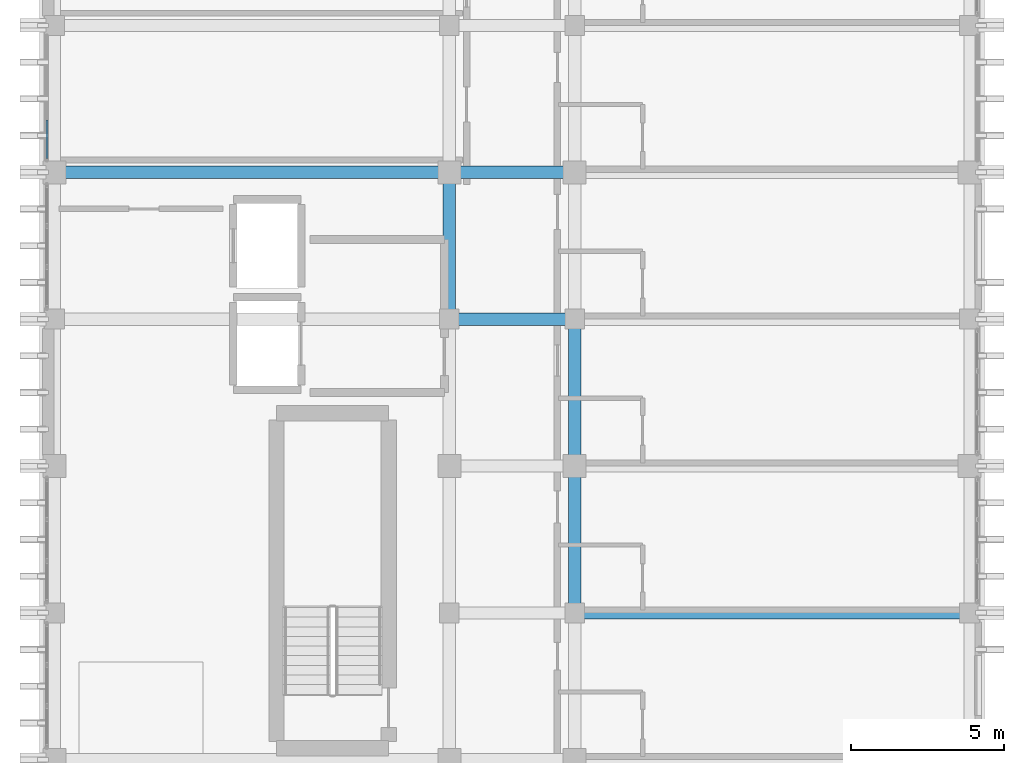
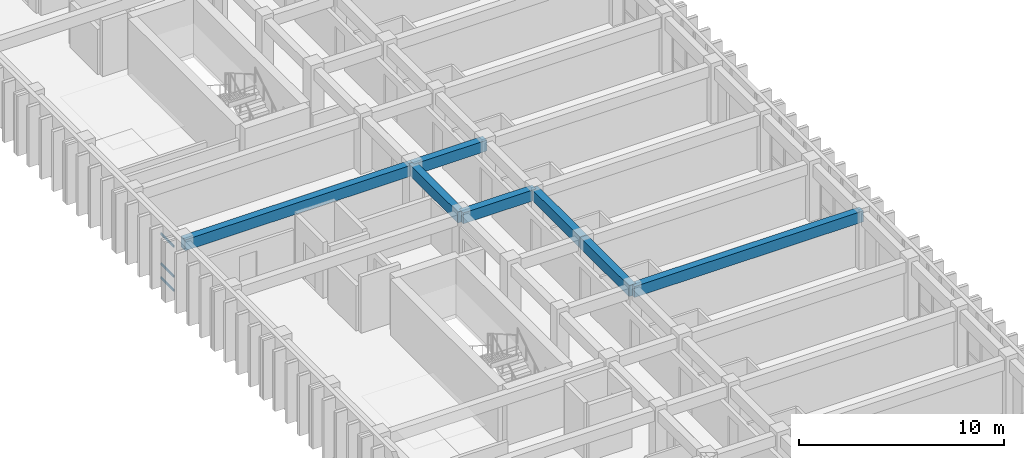
# One storey, part 28 of 64: 7 beams, 3 members, 1 element without a shape of its own.
"""IFC4 building model written with IfcOpenShell, lengths in metres."""

import ifcopenshell
import ifcopenshell.guid

model = None  # the IFC model being written
_history = None  # IfcOwnerHistory: only IFC2X3 demands one
_inside = {}  # id of a spatial element -> (the spatial element, [elements in it])
_under = {}  # id of a project, library or spatial element -> (it, [spatial elements below it])
_declared = {}  # id of a project -> (the project, [libraries it declares])
_typed = {}  # id of a type object -> (the type object, [elements of that type])
_made_of = {}  # id of a material, layer set ... -> (it, [elements and type objects made of it])


def new_model(schema):
    """Start an empty IFC model of exactly this schema.

    Asked for "IFC4X3", IfcOpenShell would pick the latest addendum, in which some entities
    have other attributes; the version numbers below select the first issue.
    IFC2X3 requires an IfcOwnerHistory on every rooted entity: one is made here for all.
    """
    global model, _history
    if schema == "IFC4X3":
        model = ifcopenshell.file(schema_version=(4, 3, 0, 0))
    else:
        model = ifcopenshell.file(schema=schema)
    _inside.clear()
    _under.clear()
    _declared.clear()
    _typed.clear()
    _made_of.clear()
    _history = None
    if model.schema == "IFC2X3":
        org = make("IfcOrganization", Name="unknown")
        user = make(
            "IfcPersonAndOrganization",
            ThePerson=make("IfcPerson", FamilyName="unknown"),
            TheOrganization=org,
        )
        app = make(
            "IfcApplication",
            ApplicationDeveloper=org,
            Version="unknown",
            ApplicationFullName="unknown",
            ApplicationIdentifier="unknown",
        )
        _history = make(
            "IfcOwnerHistory",
            OwningUser=user,
            OwningApplication=app,
            ChangeAction="ADDED",
            CreationDate=0,
        )
    return model


def make(cls, **values):
    """One entity of the class cls with the attributes given. An attribute that is None is left unset."""
    return model.create_entity(
        cls, **{name: value for name, value in values.items() if value is not None}
    )


def rooted(cls, **values):
    """An entity with a GlobalId (a new one), such as an element, a storey or a relation."""
    return make(cls, GlobalId=ifcopenshell.guid.new(), OwnerHistory=_history, **values)


def si_unit(unit_type, name, prefix=None):
    """IfcSIUnit, for example si_unit("LENGTHUNIT", "METRE", prefix="MILLI")."""
    return make("IfcSIUnit", UnitType=unit_type, Prefix=prefix, Name=name)


def assignment(units):
    """IfcUnitAssignment: the units of a project."""
    return None if units is None else make("IfcUnitAssignment", Units=units)


def point(xyz):
    """IfcCartesianPoint."""
    return None if xyz is None else make("IfcCartesianPoint", Coordinates=xyz)


def direction(xyz):
    """IfcDirection."""
    return None if xyz is None else make("IfcDirection", DirectionRatios=xyz)


def frame(location, z_axis=None, x_axis=None):
    """IfcAxis2Placement3D, a coordinate frame: its origin and axes. An axis left out is left unset."""
    return make(
        "IfcAxis2Placement3D",
        Location=point(location),
        Axis=direction(z_axis),
        RefDirection=direction(x_axis),
    )


def frame_2d(location, x_axis=None):
    """IfcAxis2Placement2D, a coordinate frame in the plane: its origin and x axis."""
    return make(
        "IfcAxis2Placement2D", Location=point(location), RefDirection=direction(x_axis)
    )


def origin():
    """The frame at (0, 0, 0) with its axes left unset."""
    return frame((0.0, 0.0, 0.0))


def origin_2d():
    """The frame at (0, 0) in the plane with its x axis left unset."""
    return frame_2d((0.0, 0.0))


def place(relative_to, where):
    """IfcLocalPlacement: puts the frame where relative to a parent placement (None: the world)."""
    return make(
        "IfcLocalPlacement", PlacementRelTo=relative_to, RelativePlacement=where
    )


def context(
    kind, dimensions, precision=None, world=None, true_north=None, identifier=None
):
    """IfcGeometricRepresentationContext, for example the 3D "Model" context."""
    return make(
        "IfcGeometricRepresentationContext",
        ContextIdentifier=identifier,
        ContextType=kind,
        CoordinateSpaceDimension=dimensions,
        Precision=precision,
        WorldCoordinateSystem=world,
        TrueNorth=true_north,
    )


def subcontext(parent, identifier, kind, view, scale=None):
    """IfcGeometricRepresentationSubContext, for example "Body" below "Model"."""
    return make(
        "IfcGeometricRepresentationSubContext",
        ContextIdentifier=identifier,
        ContextType=kind,
        ParentContext=parent,
        TargetScale=scale,
        TargetView=view,
    )


def project(units=None, contexts=None):
    """IfcProject with its units and contexts."""
    return rooted(
        "IfcProject",
        Name="project",
        RepresentationContexts=contexts,
        UnitsInContext=assignment(units),
    )


def spatial(cls, under=None, at=None, **own):
    """A site, building, storey or space (cls), placed at a placement, below another one or the project."""
    s = rooted(cls, ObjectPlacement=at, **own)
    if under is not None:
        _under.setdefault(under.id(), (under, []))[1].append(s)
    return s


def profile(cls, at=None, kind="AREA", **sizes):
    """A parametric profile (cls). Its sizes go by their IFC names, for example OverallWidth=200.0."""
    return make(cls, ProfileType=kind, Position=at, **sizes)


def rectangle(**sizes):
    """IfcRectangleProfileDef."""
    return profile("IfcRectangleProfileDef", **sizes)


def hollow_rectangle(**sizes):
    """IfcRectangleHollowProfileDef."""
    return profile("IfcRectangleHollowProfileDef", **sizes)


def extrude(swept, where, along, depth):
    """IfcExtrudedAreaSolid: the profile swept, set in the frame where, extruded along a direction by depth."""
    return make(
        "IfcExtrudedAreaSolid",
        SweptArea=swept,
        Position=where,
        ExtrudedDirection=direction(along),
        Depth=depth,
    )


def shape(context_of_items, identifier, shape_type, items):
    """IfcShapeRepresentation: the items that make up one representation, for example the "Body"."""
    return make(
        "IfcShapeRepresentation",
        ContextOfItems=context_of_items,
        RepresentationIdentifier=identifier,
        RepresentationType=shape_type,
        Items=items,
    )


def material(Name=None, Category=None):
    """IfcMaterial."""
    return make("IfcMaterial", Name=Name, Category=Category)


def layer(
    of_material, thickness, ventilated=None, Name=None, Category=None, Priority=None
):
    """IfcMaterialLayer: one layer of a wall or slab, of a material (None: an air gap)."""
    return make(
        "IfcMaterialLayer",
        Material=of_material,
        LayerThickness=thickness,
        IsVentilated=ventilated,
        Name=Name,
        Category=Category,
        Priority=Priority,
    )


def layer_set(layers, Name=None):
    """IfcMaterialLayerSet."""
    return make("IfcMaterialLayerSet", MaterialLayers=layers, LayerSetName=Name)


def material_profile(
    of_material, cross_section, Name=None, Category=None, Priority=None
):
    """IfcMaterialProfile: a cross section and its material."""
    return make(
        "IfcMaterialProfile",
        Name=Name,
        Material=of_material,
        Profile=cross_section,
        Priority=Priority,
        Category=Category,
    )


def profile_set(profiles, Name=None, composite=None):
    """IfcMaterialProfileSet."""
    return make(
        "IfcMaterialProfileSet",
        Name=Name,
        MaterialProfiles=profiles,
        CompositeProfile=composite,
    )


def made_of(thing, what):
    """Note that an element or type object is made of a material, layer set ...; save() writes the relation."""
    if what is not None:
        _made_of.setdefault(what.id(), (what, []))[1].append(thing)
    return thing


def type_object(cls, material=None, **own):
    """A type object (cls), such as IfcWallType, which elements share."""
    return made_of(rooted(cls, **own), material)


def element(
    cls,
    number,
    at=None,
    inside=None,
    cuts=None,
    type_object=None,
    material=None,
    context=None,
    identifier="Body",
    shape_type=None,
    held_by="IfcProductDefinitionShape",
    body=None,
    shapes=None,
    **own,
):
    """One element of the class cls, such as IfcWall. Its Tag is "e" and its number.

    at: its placement. inside: the storey or other place that contains it. cuts: it is an
    opening in that element (IfcRelVoidsElement). A single representation is given by context,
    identifier, shape_type and body (its items); several are given by shapes. held_by: the class
    of the entity that holds the representations. save() writes the other relations.
    """
    e = rooted(cls, Tag="e%d" % number, ObjectPlacement=at, **own)
    if body is not None:
        shapes = [shape(context, identifier, shape_type, body)]
    if shapes is not None:
        e.Representation = make(held_by, Representations=shapes)
    if inside is not None:
        _inside.setdefault(inside.id(), (inside, []))[1].append(e)
    if cuts is not None:
        rooted(
            "IfcRelVoidsElement", RelatingBuildingElement=cuts, RelatedOpeningElement=e
        )
    if type_object is not None:
        _typed.setdefault(type_object.id(), (type_object, []))[1].append(e)
    return made_of(e, material)


def aggregate(whole, parts):
    """IfcRelAggregates: a whole, such as a stair, and the parts it consists of."""
    return rooted("IfcRelAggregates", RelatingObject=whole, RelatedObjects=parts)


def save(model, path):
    """Write the relations noted so far, then the file.

    IfcRelAggregates (storeys below a building ...), IfcRelContainedInSpatialStructure (elements
    in a storey), IfcRelDefinesByType, IfcRelAssociatesMaterial and IfcRelDeclares: one each for
    every whole, place, type object, material and project.
    """
    for whole, parts in _under.values():
        aggregate(whole, parts)
    for where, things in _inside.values():
        rooted(
            "IfcRelContainedInSpatialStructure",
            RelatedElements=things,
            RelatingStructure=where,
        )
    for kind, things in _typed.values():
        rooted("IfcRelDefinesByType", RelatedObjects=things, RelatingType=kind)
    for what, things in _made_of.values():
        rooted("IfcRelAssociatesMaterial", RelatedObjects=things, RelatingMaterial=what)
    for by, libraries in _declared.values():
        rooted("IfcRelDeclares", RelatingContext=by, RelatedDefinitions=libraries)
    model.write(path)


model = new_model("IFC4")

# Units and contexts
model_context = context("Model", 3, precision=1e-05, world=origin(), true_north=direction((0.0, 1.0)))
body_context = subcontext(model_context, "Body", "Model", "MODEL_VIEW")
ifc_project = project(units=[si_unit("LENGTHUNIT", "METRE"), si_unit("AREAUNIT", "SQUARE_METRE"), si_unit("VOLUMEUNIT", "CUBIC_METRE"), si_unit("PLANEANGLEUNIT", "RADIAN"), si_unit("MASSUNIT", "GRAM", prefix="KILO")], contexts=[model_context])

# Site, building, storey
site_placement = place(None, origin())
site = spatial("IfcSite", under=ifc_project, at=site_placement, CompositionType="ELEMENT")
building_placement = place(site_placement, origin())
building = spatial("IfcBuilding", under=site, at=building_placement, Name="Nakhvara Creek Congress Hotel", CompositionType="ELEMENT")
storey_placement = place(building_placement, frame((0.0, 0.0, 28.199951171875)))
storey = spatial("IfcBuildingStorey", under=building, at=storey_placement, Name="L06", CompositionType="ELEMENT", Elevation=28.199951171875)

# Beams
ifc_material_1 = material(Name="Concrete C40/50", Category="concrete")
ifc_material_profile_1 = material_profile(ifc_material_1, rectangle(XDim=0.39990234375, YDim=0.64990234375, at=origin_2d()), Name="RC-BM 400x650", Category="LoadBearing")
ifc_profile_set_1 = profile_set([ifc_material_profile_1], Name="Concrete C40/50")
beam_type = type_object("IfcBeamType", Name="BM-RC-400X650", PredefinedType="BEAM", material=ifc_profile_set_1)
beam_1_placement = place(storey_placement, frame((149.449951171875, 96.0, 3.01513671875), z_axis=(1.0, 0.0, 0.0), x_axis=(0.0, 1.0, 0.0)))
element("IfcBeam", 1, at=beam_1_placement, inside=storey, type_object=beam_type, Name="Beam B06-L06-2209", PredefinedType="BEAM", context=body_context, shape_type="SweptSolid", body=[
    extrude(rectangle(XDim=0.39990234375, YDim=0.64990234375, at=origin_2d()), origin(), (0.0, 0.0, 1.0), 12.900146484375),
])
beam_2_placement = place(storey_placement, frame((162.35009765625, 96.0, 3.01513671875), z_axis=(1.0, 0.0, 0.0), x_axis=(0.0, 1.0, 0.0)))
element("IfcBeam", 2, at=beam_2_placement, inside=storey, type_object=beam_type, Name="Beam B06-L06-2236", PredefinedType="BEAM", context=body_context, shape_type="SweptSolid", body=[
    extrude(rectangle(XDim=0.39990234375, YDim=0.64990234375, at=origin_2d()), origin(), (0.0, 0.0, 1.0), 4.099853515625),
])
beam_3_placement = place(storey_placement, frame((162.35009765625, 91.199951171875, 3.01513671875), z_axis=(0.0, 1.0, 0.0), x_axis=(-1.0, 0.0, 0.0)))
element("IfcBeam", 3, at=beam_3_placement, inside=storey, type_object=beam_type, Name="Beam B06-L06-2237", PredefinedType="BEAM", context=body_context, shape_type="SweptSolid", body=[
    extrude(rectangle(XDim=0.39990234375, YDim=0.64990234375, at=origin_2d()), origin(), (0.0, 0.0, 1.0), 4.800048828125),
])
beam_4_placement = place(storey_placement, frame((166.449951171875, 81.60009765625, 3.01513671875), z_axis=(0.0, 1.0, 0.0), x_axis=(-1.0, 0.0, 0.0)))
element("IfcBeam", 4, at=beam_4_placement, inside=storey, type_object=beam_type, Name="Beam B06-L06-2262", PredefinedType="BEAM", context=body_context, shape_type="SweptSolid", body=[
    extrude(rectangle(XDim=0.39990234375, YDim=0.64990234375, at=origin_2d()), origin(), (0.0, 0.0, 1.0), 4.7998046875),
])
beam_5_placement = place(storey_placement, frame((166.449951171875, 86.39990234375, 3.01513671875), z_axis=(0.0, 1.0, 0.0), x_axis=(-1.0, 0.0, 0.0)))
element("IfcBeam", 5, at=beam_5_placement, inside=storey, type_object=beam_type, Name="Beam B06-L06-2263", PredefinedType="BEAM", context=body_context, shape_type="SweptSolid", body=[
    extrude(rectangle(XDim=0.39990234375, YDim=0.64990234375, at=origin_2d()), origin(), (0.0, 0.0, 1.0), 4.800048828125),
])
beam_6_placement = place(storey_placement, frame((162.35009765625, 91.199951171875, 3.01513671875), z_axis=(1.0, 0.0, 0.0), x_axis=(0.0, 1.0, 0.0)))
element("IfcBeam", 6, at=beam_6_placement, inside=storey, type_object=beam_type, Name="Beam B06-L06-2305", PredefinedType="BEAM", context=body_context, shape_type="SweptSolid", body=[
    extrude(rectangle(XDim=0.39990234375, YDim=0.64990234375, at=origin_2d()), origin(), (0.0, 0.0, 1.0), 4.099853515625),
])
beam_7_placement = place(storey_placement, frame((166.449951171875, 81.60009765625, 3.01513671875), z_axis=(1.0, 0.0, 0.0), x_axis=(0.0, 1.0, 0.0)))
element("IfcBeam", 7, at=beam_7_placement, inside=storey, type_object=beam_type, Name="Beam B06-L06-2313", PredefinedType="BEAM", context=body_context, shape_type="SweptSolid", body=[
    extrude(rectangle(XDim=0.39990234375, YDim=0.64990234375, at=origin_2d()), origin(), (0.0, 0.0, 1.0), 12.900146484375),
])

# Curtain wall, members
ifc_material_2 = material(Name="Bronze-anodised aluminium AW-6063-T6 and double-silver low-E glass", Category="aluminium")
ifc_layer = layer(ifc_material_2, 0.199951171875)
ifc_layer_set = layer_set([ifc_layer], Name="Bronze-anodised aluminium AW-6063-T6 and double-silver low-E glass")
curtain_wall_type = type_object("IfcCurtainWallType", Name="CW-HTL-UNIT", PredefinedType="USERDEFINED", material=ifc_layer_set)
curtain_wall_placement = place(storey_placement, origin())
curtain_wall = element("IfcCurtainWall", 8, at=curtain_wall_placement, inside=storey, type_object=curtain_wall_type, Name="Curtain Wall CW246", ObjectType="UNITISED", PredefinedType="USERDEFINED")
ifc_material_3 = material(Name="Bronze-anodised aluminium AW-6063-T6", Category="aluminium")
ifc_material_profile_2 = material_profile(ifc_material_3, hollow_rectangle(XDim=0.06494140625, YDim=0.1201171875, WallThickness=0.00390625, at=origin_2d()), Name="ALU-TRAN 65x120x4", Category="LoadBearing")
ifc_profile_set_2 = profile_set([ifc_material_profile_2], Name="Bronze-anodised aluminium AW-6063-T6")
member_type = type_object("IfcMemberType", Name="CW-TRAN-120", PredefinedType="USERDEFINED", material=ifc_profile_set_2)
member_1_placement = place(storey_placement, frame((149.199951171875, 96.455078125, 0.032470703125), z_axis=(0.0, 1.0, 0.0), x_axis=(-1.0, 0.0, 0.0)))
member_1 = element("IfcMember", 9, at=member_1_placement, type_object=member_type, Name="CW246 transom 1.1", ObjectType="TRANSOM", PredefinedType="USERDEFINED", context=body_context, shape_type="SweptSolid", body=[
    extrude(hollow_rectangle(XDim=0.06494140625, YDim=0.1201171875, WallThickness=0.00390625, at=origin_2d()), origin(), (0.0, 0.0, 1.0), 1.259033203125),
])
member_2_placement = place(storey_placement, frame((149.199951171875, 96.455078125, 0.85009765625), z_axis=(0.0, 1.0, 0.0), x_axis=(-1.0, 0.0, 0.0)))
member_2 = element("IfcMember", 10, at=member_2_placement, type_object=member_type, Name="CW246 transom 1.2", ObjectType="TRANSOM", PredefinedType="USERDEFINED", context=body_context, shape_type="SweptSolid", body=[
    extrude(hollow_rectangle(XDim=0.06494140625, YDim=0.1201171875, WallThickness=0.00390625, at=origin_2d()), origin(), (0.0, 0.0, 1.0), 1.259033203125),
])
member_3_placement = place(storey_placement, frame((149.199951171875, 96.455078125, 2.649658203125), z_axis=(0.0, 1.0, 0.0), x_axis=(-1.0, 0.0, 0.0)))
member_3 = element("IfcMember", 11, at=member_3_placement, type_object=member_type, Name="CW246 transom 1.3", ObjectType="TRANSOM", PredefinedType="USERDEFINED", context=body_context, shape_type="SweptSolid", body=[
    extrude(hollow_rectangle(XDim=0.06494140625, YDim=0.1201171875, WallThickness=0.00390625, at=origin_2d()), origin(), (0.0, 0.0, 1.0), 1.259033203125),
])
aggregate(curtain_wall, [member_1, member_2, member_3])

save(model, "model.ifc")
